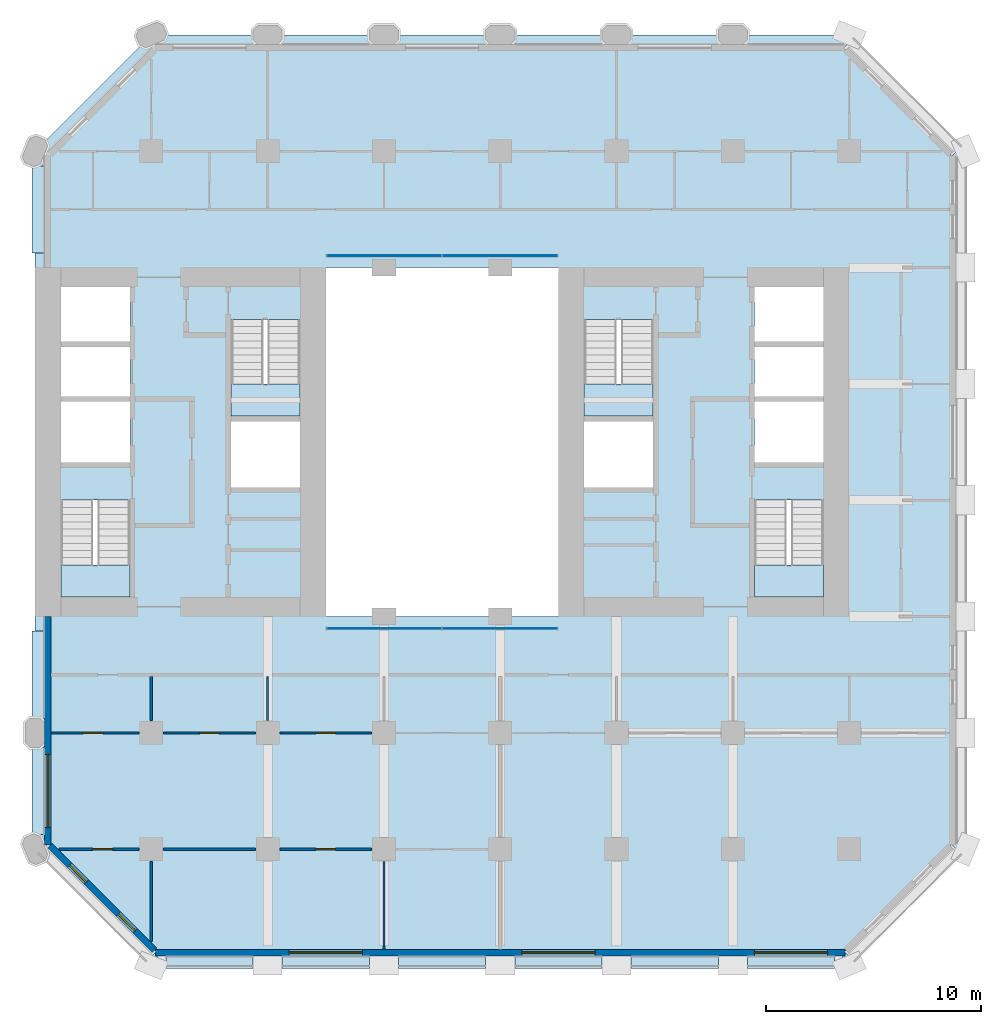
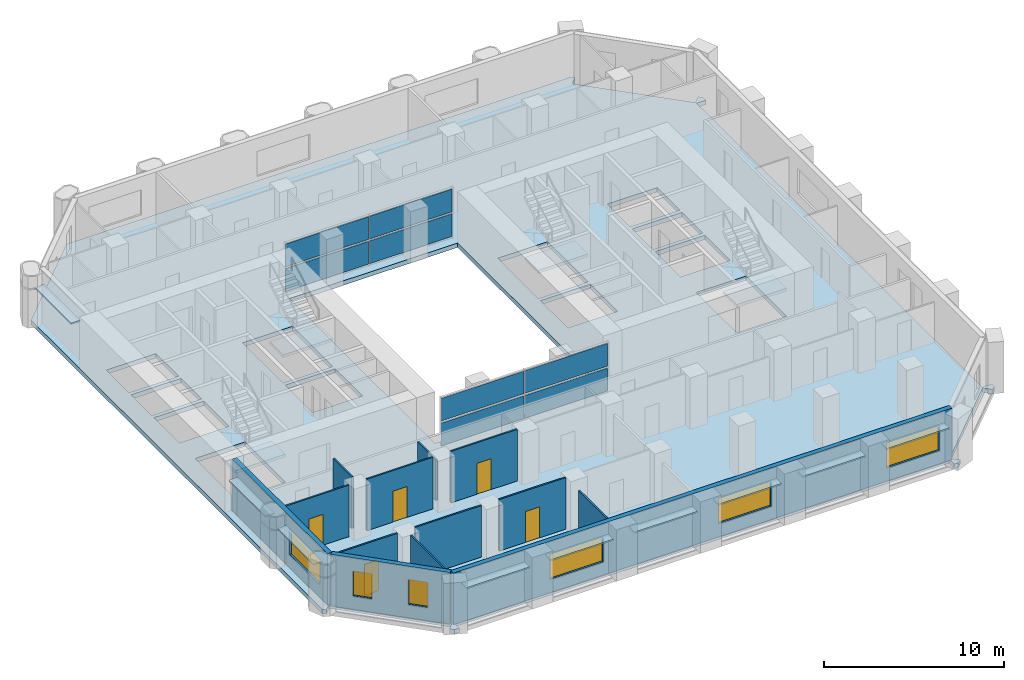
# One storey, part 7 of 13: 17 plates, 13 walls, 6 windows, 5 doors, 5 slabs, 11 openings, 6 elements without a shape of their own.
"""IFC4 building model written with IfcOpenShell, lengths in metres."""

from ifc_helpers import new_model, si_unit, direction, frame, frame_2d, origin, origin_2d, place, context, subcontext, project, spatial, polyline, rectangle, outline, extrude, material, layer, layer_set, type_object, element, fill, aggregate, save


model = new_model("IFC4")

# Units and contexts
model_context = context("Model", 3, precision=1e-05, world=origin(), true_north=direction((0.0, 1.0)))
body_context = subcontext(model_context, "Body", "Model", "MODEL_VIEW")
ifc_project = project(units=[si_unit("LENGTHUNIT", "METRE"), si_unit("AREAUNIT", "SQUARE_METRE"), si_unit("VOLUMEUNIT", "CUBIC_METRE"), si_unit("PLANEANGLEUNIT", "RADIAN"), si_unit("MASSUNIT", "GRAM", prefix="KILO")], contexts=[model_context])

# Site, building, storey
site_placement = place(None, origin())
site = spatial("IfcSite", under=ifc_project, at=site_placement, CompositionType="ELEMENT")
building_placement = place(site_placement, origin())
building = spatial("IfcBuilding", under=site, at=building_placement, Name="Tabaq Tower and Sports Hall", CompositionType="ELEMENT")
storey_placement = place(building_placement, frame((0.0, 0.0, 45.0)))
storey = spatial("IfcBuildingStorey", under=building, at=storey_placement, Name="L09", CompositionType="ELEMENT", Elevation=45.0)

# Curtain wall, plates
ifc_material_1 = material(Name="Aluminium alloy 6063-T6 framed glazing", Category="aluminium")
curtain_wall_type = type_object("IfcCurtainWallType", Name="CW1 curtain wall", PredefinedType="USERDEFINED", material=ifc_material_1)
curtain_wall_1_placement = place(storey_placement, origin())
curtain_wall_1 = element("IfcCurtainWall", 1, at=curtain_wall_1_placement, inside=storey, type_object=curtain_wall_type, Name="Atrium glazing L09 S", ObjectType="ATRIUM ENCLOSURE", PredefinedType="USERDEFINED")
ifc_material_2 = material(Name="Clear low-emissivity glass 28 mm", Category="glass")
ifc_layer_1 = layer(ifc_material_2, 0.028076171875)
ifc_layer_set_1 = layer_set([ifc_layer_1], Name="CW1 glass panel 28")
plate_type_1 = type_object("IfcPlateType", Name="CW1 glass panel 28", PredefinedType="CURTAIN_PANEL", material=ifc_layer_set_1)
plate_1_placement = place(storey_placement, frame((21.614990234375, 15.64990234375, 0.139892578125), z_axis=(0.0, 0.0, 1.0), x_axis=(1.0, 0.0, 0.0)))
plate_1 = element("IfcPlate", 2, at=plate_1_placement, type_object=plate_type_1, Name="CW1 panel 1.1", PredefinedType="CURTAIN_PANEL", context=body_context, shape_type="SweptSolid", body=[
    extrude(rectangle(XDim=5.31005859375, YDim=0.028076171875, at=origin_2d()), origin(), (0.0, 0.0, 1.0), 1.5400390625),
])
plate_2_placement = place(storey_placement, frame((21.614990234375, 15.64990234375, 1.820068359375), z_axis=(0.0, 0.0, 1.0), x_axis=(1.0, 0.0, 0.0)))
plate_2 = element("IfcPlate", 3, at=plate_2_placement, type_object=plate_type_1, Name="CW1 panel 1.2", PredefinedType="CURTAIN_PANEL", context=body_context, shape_type="SweptSolid", body=[
    extrude(rectangle(XDim=5.31005859375, YDim=0.028076171875, at=origin_2d()), origin(), (0.0, 0.0, 1.0), 1.5400390625),
])
plate_3_placement = place(storey_placement, frame((26.985107421875, 15.64990234375, 0.139892578125), z_axis=(0.0, 0.0, 1.0), x_axis=(1.0, 0.0, 0.0)))
plate_3 = element("IfcPlate", 4, at=plate_3_placement, type_object=plate_type_1, Name="CW1 panel 2.1", PredefinedType="CURTAIN_PANEL", context=body_context, shape_type="SweptSolid", body=[
    extrude(rectangle(XDim=5.31005859375, YDim=0.028076171875, at=origin_2d()), origin(), (0.0, 0.0, 1.0), 1.5400390625),
])
plate_4_placement = place(storey_placement, frame((26.985107421875, 15.64990234375, 1.820068359375), z_axis=(0.0, 0.0, 1.0), x_axis=(1.0, 0.0, 0.0)))
plate_4 = element("IfcPlate", 5, at=plate_4_placement, type_object=plate_type_1, Name="CW1 panel 2.2", PredefinedType="CURTAIN_PANEL", context=body_context, shape_type="SweptSolid", body=[
    extrude(rectangle(XDim=5.31005859375, YDim=0.028076171875, at=origin_2d()), origin(), (0.0, 0.0, 1.0), 1.5400390625),
])
aggregate(curtain_wall_1, [plate_1, plate_2, plate_3, plate_4])

curtain_wall_2_placement = place(storey_placement, origin())
curtain_wall_2 = element("IfcCurtainWall", 6, at=curtain_wall_2_placement, inside=storey, type_object=curtain_wall_type, Name="Atrium glazing L09 N", ObjectType="ATRIUM ENCLOSURE", PredefinedType="USERDEFINED")
plate_5_placement = place(storey_placement, frame((21.614990234375, 32.949951171875, 0.139892578125), z_axis=(0.0, 0.0, 1.0), x_axis=(1.0, 0.0, 0.0)))
plate_5 = element("IfcPlate", 7, at=plate_5_placement, type_object=plate_type_1, Name="CW1 panel 1.1", PredefinedType="CURTAIN_PANEL", context=body_context, shape_type="SweptSolid", body=[
    extrude(rectangle(XDim=5.31005859375, YDim=0.028076171875, at=origin_2d()), origin(), (0.0, 0.0, 1.0), 1.5400390625),
])
plate_6_placement = place(storey_placement, frame((21.614990234375, 32.949951171875, 1.820068359375), z_axis=(0.0, 0.0, 1.0), x_axis=(1.0, 0.0, 0.0)))
plate_6 = element("IfcPlate", 8, at=plate_6_placement, type_object=plate_type_1, Name="CW1 panel 1.2", PredefinedType="CURTAIN_PANEL", context=body_context, shape_type="SweptSolid", body=[
    extrude(rectangle(XDim=5.31005859375, YDim=0.028076171875, at=origin_2d()), origin(), (0.0, 0.0, 1.0), 1.5400390625),
])
plate_7_placement = place(storey_placement, frame((26.985107421875, 32.949951171875, 0.139892578125), z_axis=(0.0, 0.0, 1.0), x_axis=(1.0, 0.0, 0.0)))
plate_7 = element("IfcPlate", 9, at=plate_7_placement, type_object=plate_type_1, Name="CW1 panel 2.1", PredefinedType="CURTAIN_PANEL", context=body_context, shape_type="SweptSolid", body=[
    extrude(rectangle(XDim=5.31005859375, YDim=0.028076171875, at=origin_2d()), origin(), (0.0, 0.0, 1.0), 1.5400390625),
])
plate_8_placement = place(storey_placement, frame((26.985107421875, 32.949951171875, 1.820068359375), z_axis=(0.0, 0.0, 1.0), x_axis=(1.0, 0.0, 0.0)))
plate_8 = element("IfcPlate", 10, at=plate_8_placement, type_object=plate_type_1, Name="CW1 panel 2.2", PredefinedType="CURTAIN_PANEL", context=body_context, shape_type="SweptSolid", body=[
    extrude(rectangle(XDim=5.31005859375, YDim=0.028076171875, at=origin_2d()), origin(), (0.0, 0.0, 1.0), 1.5400390625),
])
aggregate(curtain_wall_2, [plate_5, plate_6, plate_7, plate_8])

# Stair, slab
ifc_material_3 = material(Name="Concrete C40/50", Category="concrete")
stair_type = type_object("IfcStairType", Name="Exit stair", PredefinedType="HALF_TURN_STAIR", material=ifc_material_3)
stair_1_placement = place(storey_placement, origin())
stair_1 = element("IfcStair", 11, at=stair_1_placement, inside=storey, type_object=stair_type, Name="L09 Exit stair ST1", PredefinedType="HALF_TURN_STAIR")
ifc_material_4 = material(Name="Concrete C40/50", Category="concrete")
ifc_layer_2 = layer(ifc_material_4, 0.199951171875)
ifc_layer_set_2 = layer_set([ifc_layer_2], Name="Exit stair landing")
slab_type_1 = type_object("IfcSlabType", Name="Exit stair landing", PredefinedType="LANDING", material=ifc_layer_set_2)
slab_1_placement = place(storey_placement, frame((0.0, 0.0, 1.699951171875)))
slab_1 = element("IfcSlab", 12, at=slab_1_placement, type_object=slab_type_1, Name="ST1 landing 1", PredefinedType="LANDING", context=body_context, shape_type="SweptSolid", body=[
    extrude(outline(polyline([(6.60009765625, 18.60009765625), (6.60009765625, 17.10009765625), (9.800048828125, 17.10009765625), (9.800048828125, 18.60009765625), (6.60009765625, 18.60009765625)])), origin(), (0.0, 0.0, 1.0), 0.199951171875),
])
aggregate(stair_1, [slab_1])

stair_2_placement = place(storey_placement, origin())
stair_2 = element("IfcStair", 13, at=stair_2_placement, inside=storey, type_object=stair_type, Name="L09 Exit stair ST2", PredefinedType="HALF_TURN_STAIR")
slab_2_placement = place(storey_placement, frame((0.0, 0.0, 1.699951171875)))
slab_2 = element("IfcSlab", 14, at=slab_2_placement, type_object=slab_type_1, Name="ST2 landing 1", PredefinedType="LANDING", context=body_context, shape_type="SweptSolid", body=[
    extrude(outline(polyline([(14.5, 27.0), (14.5, 25.5), (17.699951171875, 25.5), (17.699951171875, 27.0), (14.5, 27.0)])), origin(), (0.0, 0.0, 1.0), 0.199951171875),
])
aggregate(stair_2, [slab_2])

stair_3_placement = place(storey_placement, origin())
stair_3 = element("IfcStair", 15, at=stair_3_placement, inside=storey, type_object=stair_type, Name="L09 Exit stair ST3", PredefinedType="HALF_TURN_STAIR")
slab_3_placement = place(storey_placement, frame((0.0, 0.0, 1.699951171875)))
slab_3 = element("IfcSlab", 16, at=slab_3_placement, type_object=slab_type_1, Name="ST3 landing 1", PredefinedType="LANDING", context=body_context, shape_type="SweptSolid", body=[
    extrude(outline(polyline([(38.800048828125, 18.60009765625), (38.800048828125, 17.10009765625), (42.0, 17.10009765625), (42.0, 18.60009765625), (38.800048828125, 18.60009765625)])), origin(), (0.0, 0.0, 1.0), 0.199951171875),
])
aggregate(stair_3, [slab_3])

stair_4_placement = place(storey_placement, origin())
stair_4 = element("IfcStair", 17, at=stair_4_placement, inside=storey, type_object=stair_type, Name="L09 Exit stair ST4", PredefinedType="HALF_TURN_STAIR")
slab_4_placement = place(storey_placement, frame((0.0, 0.0, 1.699951171875)))
slab_4 = element("IfcSlab", 18, at=slab_4_placement, type_object=slab_type_1, Name="ST4 landing 1", PredefinedType="LANDING", context=body_context, shape_type="SweptSolid", body=[
    extrude(outline(polyline([(30.89990234375, 27.0), (30.89990234375, 25.5), (34.10009765625, 25.5), (34.10009765625, 27.0), (30.89990234375, 27.0)])), origin(), (0.0, 0.0, 1.0), 0.199951171875),
])
aggregate(stair_4, [slab_4])

# Slab
ifc_material_5 = material(Name="Concrete C40/50", Category="concrete")
ifc_layer_3 = layer(ifc_material_5, 0.300048828125)
ifc_layer_set_3 = layer_set([ifc_layer_3], Name="PT FLOOR SLAB 300 C40/50")
slab_type_2 = type_object("IfcSlabType", Name="PT FLOOR SLAB 300 C40/50", PredefinedType="FLOOR", material=ifc_layer_set_3)
slab_5_placement = place(storey_placement, frame((0.0, 0.0, -0.300048828125)))
element("IfcSlab", 19, at=slab_5_placement, inside=storey, type_object=slab_type_2, Name="Floor Slab L09", PredefinedType="FLOOR", context=body_context, shape_type="SweptSolid", body=[
    extrude(outline(polyline([(5.39990234375, 37.800048828125), (5.39990234375, 5.39990234375), (5.57666015625, 5.22314453125), (5.930419921875, 5.57666015625), (6.0009765625, 5.6474609375), (11.01318359375, 0.63525390625), (10.5888671875, 0.211181640625), (10.800048828125, 0.0), (11.0986328125, 0.0), (11.0986328125, 0.5), (11.0986328125, 0.60009765625), (42.9013671875, 0.60009765625), (42.9013671875, 0.5), (42.9013671875, 0.0), (43.199951171875, 0.0), (43.4111328125, 0.211181640625), (42.98681640625, 0.63525390625), (47.964599609375, 5.61328125), (48.035400390625, 5.54248046875), (48.388916015625, 5.18896484375), (48.60009765625, 5.39990234375), (48.60009765625, 5.698486328125), (48.10009765625, 5.698486328125), (48.0, 5.698486328125), (48.0, 37.50146484375), (48.10009765625, 37.50146484375), (48.60009765625, 37.50146484375), (48.60009765625, 37.800048828125), (48.388916015625, 38.010986328125), (48.035400390625, 37.657470703125), (47.964599609375, 37.5869140625), (42.952392578125, 42.598876953125), (43.023193359375, 42.669677734375), (43.376708984375, 43.023193359375), (43.199951171875, 43.199951171875), (10.800048828125, 43.199951171875), (5.39990234375, 37.800048828125)]), holes=[polyline([(6.60009765625, 21.599365234375), (9.800048828125, 21.599365234375), (9.800048828125, 17.10009765625), (6.60009765625, 17.10009765625), (6.60009765625, 21.599365234375)]), polyline([(17.699951171875, 25.25), (17.699951171875, 22.199951171875), (14.5, 22.199951171875), (14.5, 25.25), (17.699951171875, 25.25)]), polyline([(18.89990234375, 32.39990234375), (29.699951171875, 32.39990234375), (29.699951171875, 16.199951171875), (18.89990234375, 16.199951171875), (18.89990234375, 32.39990234375)]), polyline([(6.60009765625, 26.175048828125), (9.800048828125, 26.175048828125), (9.800048828125, 23.35009765625), (6.60009765625, 23.35009765625), (6.60009765625, 26.175048828125)]), polyline([(9.800048828125, 28.72509765625), (9.800048828125, 26.425048828125), (6.60009765625, 26.425048828125), (6.60009765625, 28.72509765625), (9.800048828125, 28.72509765625)]), polyline([(17.699951171875, 29.99951171875), (17.699951171875, 25.5), (14.5, 25.5), (14.5, 29.99951171875), (17.699951171875, 29.99951171875)]), polyline([(6.60009765625, 31.5), (9.800048828125, 31.5), (9.800048828125, 28.97509765625), (6.60009765625, 28.97509765625), (6.60009765625, 31.5)]), polyline([(42.0, 21.599365234375), (42.0, 17.10009765625), (38.800048828125, 17.10009765625), (38.800048828125, 21.599365234375), (42.0, 21.599365234375)]), polyline([(34.10009765625, 25.25), (34.10009765625, 22.199951171875), (30.89990234375, 22.199951171875), (30.89990234375, 25.25), (34.10009765625, 25.25)]), polyline([(42.0, 26.175048828125), (42.0, 23.35009765625), (38.800048828125, 23.35009765625), (38.800048828125, 26.175048828125), (42.0, 26.175048828125)]), polyline([(42.0, 28.72509765625), (42.0, 26.425048828125), (38.800048828125, 26.425048828125), (38.800048828125, 28.72509765625), (42.0, 28.72509765625)]), polyline([(34.10009765625, 29.99951171875), (34.10009765625, 25.5), (30.89990234375, 25.5), (30.89990234375, 29.99951171875), (34.10009765625, 29.99951171875)]), polyline([(42.0, 31.5), (42.0, 28.97509765625), (38.800048828125, 28.97509765625), (38.800048828125, 31.5), (42.0, 31.5)])]), origin(), (0.0, 0.0, 1.0), 0.300048828125),
])

# Plates
ifc_material_6 = material(Name="White precast concrete C60/75 blade", Category="concrete")
ifc_layer_4 = layer(ifc_material_6, 0.10009765625)
ifc_layer_set_4 = layer_set([ifc_layer_4], Name="White precast concrete C60/75 sunshade 100")
plate_type_2 = type_object("IfcPlateType", Name="White precast concrete C60/75 sunshade 100", PredefinedType="USERDEFINED", material=ifc_layer_set_4)
for number, where, z_axis, x_axis, name in (
    (20, (13.5, 0.14990234375, 2.599853515625), (0.0, 0.0, 1.0), (1.0, 0.0, 0.0), "Sunshade L09 S"),
    (21, (18.89990234375, 0.14990234375, 2.599853515625), (0.0, 0.0, 1.0), (1.0, 0.0, 0.0), "Sunshade L09 S"),
    (22, (24.300048828125, 0.14990234375, 2.599853515625), (0.0, 0.0, 1.0), (1.0, 0.0, 0.0), "Sunshade L09 S"),
    (23, (29.699951171875, 0.14990234375, 2.599853515625), (0.0, 0.0, 1.0), (1.0, 0.0, 0.0), "Sunshade L09 S"),
    (24, (35.10009765625, 0.14990234375, 2.599853515625), (0.0, 0.0, 1.0), (1.0, 0.0, 0.0), "Sunshade L09 S"),
    (25, (40.5, 0.14990234375, 2.599853515625), (0.0, 0.0, 1.0), (1.0, 0.0, 0.0), "Sunshade L09 S"),
    (26, (5.550048828125, 35.10009765625, 2.599853515625), (0.0, 0.0, 1.0), (0.0, -1.0, 0.0), "Sunshade L09 W"),
    (27, (5.550048828125, 13.5, 2.599853515625), (0.0, 0.0, 1.0), (0.0, -1.0, 0.0), "Sunshade L09 W"),
    (28, (5.550048828125, 8.10009765625, 2.599853515625), (0.0, 0.0, 1.0), (0.0, -1.0, 0.0), "Sunshade L09 W"),
):
    element("IfcPlate", number, at=place(storey_placement, frame(where, z_axis=z_axis, x_axis=x_axis)), inside=storey, type_object=plate_type_2, Name=name, ObjectType="SUNSHADE", PredefinedType="USERDEFINED", context=body_context, shape_type="SweptSolid", body=[
        extrude(rectangle(XDim=4.050048828125, YDim=0.60009765625, at=origin_2d()), origin(), (0.0, 0.0, 1.0), 0.10009765625),
    ])

# Wall, opening, door
ifc_material_7 = material(Name="Gypsum board on steel studs", Category="steel")
ifc_layer_5 = layer(ifc_material_7, 0.10009765625)
ifc_layer_set_5 = layer_set([ifc_layer_5], Name="Partition 100 Gypsum board")
wall_type_1 = type_object("IfcWallType", Name="Partition 100 Gypsum board", PredefinedType="PARTITIONING", material=ifc_layer_set_5)
wall_1_placement = place(storey_placement, frame((6.15087890625, 10.800048828125, 0.0), z_axis=(0.0, 0.0, 1.0), x_axis=(1.0, 0.0, 0.0)))
wall_1 = element("IfcWall", 29, at=wall_1_placement, inside=storey, type_object=wall_type_1, Name="Partition wall L09", PredefinedType="PARTITIONING", context=body_context, shape_type="SweptSolid", body=[
    extrude(rectangle(XDim=4.0791015625, YDim=0.10009765625, at=frame_2d((2.03955078125, 0.0))), origin(), (0.0, 0.0, 1.0), 3.5),
])
opening_1_placement = place(wall_1_placement, frame((1.4990234375, 0.0, 0.0)))
opening_1 = element("IfcOpeningElement", 30, at=opening_1_placement, cuts=wall_1, Name="Opening L09-027", PredefinedType="OPENING", context=body_context, shape_type="SweptSolid", body=[
    extrude(rectangle(XDim=0.89990234375, YDim=2.10009765625, at=frame_2d((0.449951171875, 1.050048828125))), frame((0.0, 0.050048828125, 0.0), z_axis=(0.0, -1.0, 0.0), x_axis=(1.0, 0.0, 0.0)), (0.0, 0.0, 1.0), 0.10009765625),
])
ifc_material_8 = material(Name="Timber leaf in steel frame", Category="steel")
door_type_1 = type_object("IfcDoorType", Name="Internal door 900 right hand", OperationType="SINGLE_SWING_RIGHT", PredefinedType="DOOR", material=ifc_material_8)
door_1_placement = place(opening_1_placement, origin())
door_1 = element("IfcDoor", 31, at=door_1_placement, inside=storey, type_object=door_type_1, Name="Internal door L09-027", OperationType="SINGLE_SWING_RIGHT", OverallHeight=2.10009765625, OverallWidth=0.89990234375, PredefinedType="DOOR", context=body_context, shape_type="SweptSolid", body=[
    extrude(rectangle(XDim=0.89990234375, YDim=2.10009765625, at=frame_2d((0.449951171875, 1.050048828125))), frame((0.0, 0.02490234375, 0.0), z_axis=(0.0, -1.0, 0.0), x_axis=(1.0, 0.0, 0.0)), (0.0, 0.0, 1.0), 0.050048828125),
])
fill(opening_1, door_1)

# Wall
wall_2_placement = place(storey_placement, frame((10.800048828125, 11.3701171875, 0.0), z_axis=(0.0, 0.0, 1.0), x_axis=(0.0, 1.0, 0.0)))
element("IfcWall", 32, at=wall_2_placement, inside=storey, type_object=wall_type_1, Name="Partition wall L09", PredefinedType="PARTITIONING", context=body_context, shape_type="SweptSolid", body=[
    extrude(rectangle(XDim=2.054931640625, YDim=0.10009765625, at=frame_2d((1.02734375, 0.0))), origin(), (0.0, 0.0, 1.0), 3.5),
])

# Wall, opening, door
wall_3_placement = place(storey_placement, frame((11.3701171875, 10.800048828125, 0.0), z_axis=(0.0, 0.0, 1.0), x_axis=(1.0, 0.0, 0.0)))
wall_3 = element("IfcWall", 33, at=wall_3_placement, inside=storey, type_object=wall_type_1, Name="Partition wall L09", PredefinedType="PARTITIONING", context=body_context, shape_type="SweptSolid", body=[
    extrude(rectangle(XDim=4.259765625, YDim=0.10009765625, at=frame_2d((2.1298828125, 0.0))), origin(), (0.0, 0.0, 1.0), 3.5),
])
opening_2_placement = place(wall_3_placement, frame((1.679931640625, 0.0, 0.0)))
opening_2 = element("IfcOpeningElement", 34, at=opening_2_placement, cuts=wall_3, Name="Opening L09-013", PredefinedType="OPENING", context=body_context, shape_type="SweptSolid", body=[
    extrude(rectangle(XDim=0.89990234375, YDim=2.10009765625, at=frame_2d((0.449951171875, 1.050048828125))), frame((0.0, 0.050048828125, 0.0), z_axis=(0.0, -1.0, 0.0), x_axis=(1.0, 0.0, 0.0)), (0.0, 0.0, 1.0), 0.10009765625),
])
ifc_material_9 = material(Name="Timber leaf in steel frame", Category="steel")
door_type_2 = type_object("IfcDoorType", Name="Internal door 900 left hand", OperationType="SINGLE_SWING_LEFT", PredefinedType="DOOR", material=ifc_material_9)
door_2_placement = place(opening_2_placement, origin())
door_2 = element("IfcDoor", 35, at=door_2_placement, inside=storey, type_object=door_type_2, Name="Internal door L09-013", OperationType="SINGLE_SWING_LEFT", OverallHeight=2.10009765625, OverallWidth=0.89990234375, PredefinedType="DOOR", context=body_context, shape_type="SweptSolid", body=[
    extrude(rectangle(XDim=0.89990234375, YDim=2.10009765625, at=frame_2d((0.449951171875, 1.050048828125))), frame((0.0, 0.02490234375, 0.0), z_axis=(0.0, -1.0, 0.0), x_axis=(1.0, 0.0, 0.0)), (0.0, 0.0, 1.0), 0.050048828125),
])
fill(opening_2, door_2)

# Wall
wall_4_placement = place(storey_placement, frame((16.199951171875, 11.3701171875, 0.0), z_axis=(0.0, 0.0, 1.0), x_axis=(0.0, 1.0, 0.0)))
element("IfcWall", 36, at=wall_4_placement, inside=storey, type_object=wall_type_1, Name="Partition wall L09", PredefinedType="PARTITIONING", context=body_context, shape_type="SweptSolid", body=[
    extrude(rectangle(XDim=2.054931640625, YDim=0.10009765625, at=frame_2d((1.02734375, 0.0))), origin(), (0.0, 0.0, 1.0), 2.75),
])

# Wall, opening, door
wall_5_placement = place(storey_placement, frame((16.77001953125, 10.800048828125, 0.0), z_axis=(0.0, 0.0, 1.0), x_axis=(1.0, 0.0, 0.0)))
wall_5 = element("IfcWall", 37, at=wall_5_placement, inside=storey, type_object=wall_type_1, Name="Partition wall L09", PredefinedType="PARTITIONING", context=body_context, shape_type="SweptSolid", body=[
    extrude(rectangle(XDim=4.260009765625, YDim=0.10009765625, at=frame_2d((2.1298828125, 0.0))), origin(), (0.0, 0.0, 1.0), 3.5),
])
opening_3_placement = place(wall_5_placement, frame((1.679931640625, 0.0, 0.0)))
opening_3 = element("IfcOpeningElement", 38, at=opening_3_placement, cuts=wall_5, Name="Opening L09-014", PredefinedType="OPENING", context=body_context, shape_type="SweptSolid", body=[
    extrude(rectangle(XDim=0.89990234375, YDim=2.10009765625, at=frame_2d((0.449951171875, 1.050048828125))), frame((0.0, 0.050048828125, 0.0), z_axis=(0.0, -1.0, 0.0), x_axis=(1.0, 0.0, 0.0)), (0.0, 0.0, 1.0), 0.10009765625),
])
door_3_placement = place(opening_3_placement, origin())
door_3 = element("IfcDoor", 39, at=door_3_placement, inside=storey, type_object=door_type_2, Name="Internal door L09-014", OperationType="SINGLE_SWING_LEFT", OverallHeight=2.10009765625, OverallWidth=0.89990234375, PredefinedType="DOOR", context=body_context, shape_type="SweptSolid", body=[
    extrude(rectangle(XDim=0.89990234375, YDim=2.10009765625, at=frame_2d((0.449951171875, 1.050048828125))), frame((0.0, 0.02490234375, 0.0), z_axis=(0.0, -1.0, 0.0), x_axis=(1.0, 0.0, 0.0)), (0.0, 0.0, 1.0), 0.050048828125),
])
fill(opening_3, door_3)

wall_6_placement = place(storey_placement, frame((6.51220703125, 5.39990234375, 0.0), z_axis=(0.0, 0.0, 1.0), x_axis=(1.0, 0.0, 0.0)))
wall_6 = element("IfcWall", 40, at=wall_6_placement, inside=storey, type_object=wall_type_1, Name="Partition wall L09", PredefinedType="PARTITIONING", context=body_context, shape_type="SweptSolid", body=[
    extrude(rectangle(XDim=3.7177734375, YDim=0.10009765625, at=frame_2d((1.85888671875, 0.0))), origin(), (0.0, 0.0, 1.0), 3.5),
])
opening_4_placement = place(wall_6_placement, frame((1.587890625, 0.0, 0.0)))
opening_4 = element("IfcOpeningElement", 41, at=opening_4_placement, cuts=wall_6, Name="Opening L09-016", PredefinedType="OPENING", context=body_context, shape_type="SweptSolid", body=[
    extrude(rectangle(XDim=0.89990234375, YDim=2.10009765625, at=frame_2d((0.449951171875, 1.050048828125))), frame((0.0, 0.050048828125, 0.0), z_axis=(0.0, -1.0, 0.0), x_axis=(1.0, 0.0, 0.0)), (0.0, 0.0, 1.0), 0.10009765625),
])
door_4_placement = place(opening_4_placement, origin())
door_4 = element("IfcDoor", 42, at=door_4_placement, inside=storey, type_object=door_type_2, Name="Internal door L09-016", OperationType="SINGLE_SWING_LEFT", OverallHeight=2.10009765625, OverallWidth=0.89990234375, PredefinedType="DOOR", context=body_context, shape_type="SweptSolid", body=[
    extrude(rectangle(XDim=0.89990234375, YDim=2.10009765625, at=frame_2d((0.449951171875, 1.050048828125))), frame((0.0, 0.02490234375, 0.0), z_axis=(0.0, -1.0, 0.0), x_axis=(1.0, 0.0, 0.0)), (0.0, 0.0, 1.0), 0.050048828125),
])
fill(opening_4, door_4)

# Wall
wall_7_placement = place(storey_placement, frame((11.3701171875, 5.39990234375, 0.0), z_axis=(0.0, 0.0, 1.0), x_axis=(1.0, 0.0, 0.0)))
element("IfcWall", 43, at=wall_7_placement, inside=storey, type_object=wall_type_1, Name="Partition wall L09", PredefinedType="PARTITIONING", context=body_context, shape_type="SweptSolid", body=[
    extrude(rectangle(XDim=4.259765625, YDim=0.10009765625, at=frame_2d((2.1298828125, 0.0))), origin(), (0.0, 0.0, 1.0), 3.5),
])

# Wall, opening, door
wall_8_placement = place(storey_placement, frame((16.77001953125, 5.39990234375, 0.0), z_axis=(0.0, 0.0, 1.0), x_axis=(1.0, 0.0, 0.0)))
wall_8 = element("IfcWall", 44, at=wall_8_placement, inside=storey, type_object=wall_type_1, Name="Partition wall L09", PredefinedType="PARTITIONING", context=body_context, shape_type="SweptSolid", body=[
    extrude(rectangle(XDim=4.260009765625, YDim=0.10009765625, at=frame_2d((2.1298828125, 0.0))), origin(), (0.0, 0.0, 1.0), 3.5),
])
opening_5_placement = place(wall_8_placement, frame((1.679931640625, 0.0, 0.0)))
opening_5 = element("IfcOpeningElement", 45, at=opening_5_placement, cuts=wall_8, Name="Opening L09-017", PredefinedType="OPENING", context=body_context, shape_type="SweptSolid", body=[
    extrude(rectangle(XDim=0.89990234375, YDim=2.10009765625, at=frame_2d((0.449951171875, 1.050048828125))), frame((0.0, 0.050048828125, 0.0), z_axis=(0.0, -1.0, 0.0), x_axis=(1.0, 0.0, 0.0)), (0.0, 0.0, 1.0), 0.10009765625),
])
door_5_placement = place(opening_5_placement, origin())
door_5 = element("IfcDoor", 46, at=door_5_placement, inside=storey, type_object=door_type_2, Name="Internal door L09-017", OperationType="SINGLE_SWING_LEFT", OverallHeight=2.10009765625, OverallWidth=0.89990234375, PredefinedType="DOOR", context=body_context, shape_type="SweptSolid", body=[
    extrude(rectangle(XDim=0.89990234375, YDim=2.10009765625, at=frame_2d((0.449951171875, 1.050048828125))), frame((0.0, 0.02490234375, 0.0), z_axis=(0.0, -1.0, 0.0), x_axis=(1.0, 0.0, 0.0)), (0.0, 0.0, 1.0), 0.050048828125),
])
fill(opening_5, door_5)

# Walls
wall_9_placement = place(storey_placement, frame((10.800048828125, 1.112060546875, 0.0), z_axis=(0.0, 0.0, 1.0), x_axis=(0.0, 1.0, 0.0)))
element("IfcWall", 47, at=wall_9_placement, inside=storey, type_object=wall_type_1, Name="Partition wall L09", PredefinedType="PARTITIONING", context=body_context, shape_type="SweptSolid", body=[
    extrude(rectangle(XDim=3.718017578125, YDim=0.10009765625, at=frame_2d((1.85888671875, 0.0))), origin(), (0.0, 0.0, 1.0), 3.5),
])
wall_10_placement = place(storey_placement, frame((21.60009765625, 0.7509765625, 0.0), z_axis=(0.0, 0.0, 1.0), x_axis=(0.0, 1.0, 0.0)))
element("IfcWall", 48, at=wall_10_placement, inside=storey, type_object=wall_type_1, Name="Partition wall L09", PredefinedType="PARTITIONING", context=body_context, shape_type="SweptSolid", body=[
    extrude(rectangle(XDim=4.0791015625, YDim=0.10009765625, at=frame_2d((2.03955078125, 0.0))), origin(), (0.0, 0.0, 1.0), 2.75),
])

# Wall, openings, windows
ifc_material_10 = material(Name="White precast concrete C60/75", Category="concrete")
ifc_layer_6 = layer(ifc_material_10, 0.300048828125)
ifc_layer_set_6 = layer_set([ifc_layer_6], Name="White precast concrete C60/75 external wall 300")
wall_type_2 = type_object("IfcWallType", Name="White precast concrete C60/75 external wall 300", PredefinedType="SOLIDWALL", material=ifc_layer_set_6)
wall_11_placement = place(storey_placement, frame((10.986328125, 0.60009765625, 0.0), z_axis=(0.0, 0.0, 1.0), x_axis=(1.0, 0.0, 0.0)))
wall_11 = element("IfcWall", 49, at=wall_11_placement, inside=storey, type_object=wall_type_2, Name="External Wall L09 S", PredefinedType="SOLIDWALL", context=body_context, shape_type="SweptSolid", body=[
    extrude(rectangle(XDim=32.02734375, YDim=0.300048828125, at=frame_2d((16.013671875, 0.0))), origin(), (0.0, 0.0, 1.0), 3.5),
])
opening_6_placement = place(wall_11_placement, frame((6.213623046875, 0.0, 0.89990234375)))
opening_6 = element("IfcOpeningElement", 50, at=opening_6_placement, cuts=wall_11, Name="Opening W1A", PredefinedType="OPENING", context=body_context, shape_type="SweptSolid", body=[
    extrude(rectangle(XDim=3.39990234375, YDim=1.699951171875, at=frame_2d((1.699951171875, 0.85009765625))), frame((0.0, 0.16015625, 0.0), z_axis=(0.0, -1.0, 0.0), x_axis=(1.0, 0.0, 0.0)), (0.0, 0.0, 1.0), 0.320068359375),
])
opening_7_placement = place(wall_11_placement, frame((17.013671875, 0.0, 0.89990234375)))
opening_7 = element("IfcOpeningElement", 51, at=opening_7_placement, cuts=wall_11, Name="Opening W1A", PredefinedType="OPENING", context=body_context, shape_type="SweptSolid", body=[
    extrude(rectangle(XDim=3.39990234375, YDim=1.699951171875, at=frame_2d((1.699951171875, 0.85009765625))), frame((0.0, 0.16015625, 0.0), z_axis=(0.0, -1.0, 0.0), x_axis=(1.0, 0.0, 0.0)), (0.0, 0.0, 1.0), 0.320068359375),
])
opening_8_placement = place(wall_11_placement, frame((27.813720703125, 0.0, 0.89990234375)))
opening_8 = element("IfcOpeningElement", 52, at=opening_8_placement, cuts=wall_11, Name="Opening W1A", PredefinedType="OPENING", context=body_context, shape_type="SweptSolid", body=[
    extrude(rectangle(XDim=3.39990234375, YDim=1.699951171875, at=frame_2d((1.699951171875, 0.85009765625))), frame((0.0, 0.16015625, 0.0), z_axis=(0.0, -1.0, 0.0), x_axis=(1.0, 0.0, 0.0)), (0.0, 0.0, 1.0), 0.320068359375),
])
ifc_material_11 = material(Name="Aluminium framed clear glazing", Category="aluminium")
window_type_1 = type_object("IfcWindowType", Name="Window W1A", PartitioningType="SINGLE_PANEL", PredefinedType="WINDOW", material=ifc_material_11)
window_1_placement = place(opening_6_placement, origin())
window_1 = element("IfcWindow", 53, at=window_1_placement, inside=storey, type_object=window_type_1, Name="Window W1A L09", OverallHeight=1.699951171875, OverallWidth=3.39990234375, PartitioningType="SINGLE_PANEL", PredefinedType="WINDOW", context=body_context, shape_type="SweptSolid", body=[
    extrude(rectangle(XDim=3.39990234375, YDim=1.699951171875, at=frame_2d((1.699951171875, 0.85009765625))), frame((0.0, 0.030029296875, 0.0), z_axis=(0.0, -1.0, 0.0), x_axis=(1.0, 0.0, 0.0)), (0.0, 0.0, 1.0), 0.06005859375),
])
fill(opening_6, window_1)
window_2_placement = place(opening_7_placement, origin())
window_2 = element("IfcWindow", 54, at=window_2_placement, inside=storey, type_object=window_type_1, Name="Window W1A L09", OverallHeight=1.699951171875, OverallWidth=3.39990234375, PartitioningType="SINGLE_PANEL", PredefinedType="WINDOW", context=body_context, shape_type="SweptSolid", body=[
    extrude(rectangle(XDim=3.39990234375, YDim=1.699951171875, at=frame_2d((1.699951171875, 0.85009765625))), frame((0.0, 0.030029296875, 0.0), z_axis=(0.0, -1.0, 0.0), x_axis=(1.0, 0.0, 0.0)), (0.0, 0.0, 1.0), 0.06005859375),
])
fill(opening_7, window_2)
window_3_placement = place(opening_8_placement, origin())
window_3 = element("IfcWindow", 55, at=window_3_placement, inside=storey, type_object=window_type_1, Name="Window W1A L09", OverallHeight=1.699951171875, OverallWidth=3.39990234375, PartitioningType="SINGLE_PANEL", PredefinedType="WINDOW", context=body_context, shape_type="SweptSolid", body=[
    extrude(rectangle(XDim=3.39990234375, YDim=1.699951171875, at=frame_2d((1.699951171875, 0.85009765625))), frame((0.0, 0.030029296875, 0.0), z_axis=(0.0, -1.0, 0.0), x_axis=(1.0, 0.0, 0.0)), (0.0, 0.0, 1.0), 0.06005859375),
])
fill(opening_8, window_3)

# Wall, opening, window
wall_12_placement = place(storey_placement, frame((6.0, 16.199951171875, 0.0), z_axis=(0.0, 0.0, 1.0), x_axis=(0.0, -1.0, 0.0)))
wall_12 = element("IfcWall", 56, at=wall_12_placement, inside=storey, type_object=wall_type_2, Name="External Wall L09 W", PredefinedType="SOLIDWALL", context=body_context, shape_type="SweptSolid", body=[
    extrude(rectangle(XDim=10.613525390625, YDim=0.300048828125, at=frame_2d((5.306640625, 0.0))), origin(), (0.0, 0.0, 1.0), 3.5),
])
opening_9_placement = place(wall_12_placement, frame((6.39990234375, 0.0, 0.89990234375)))
opening_9 = element("IfcOpeningElement", 57, at=opening_9_placement, cuts=wall_12, Name="Opening W1A", PredefinedType="OPENING", context=body_context, shape_type="SweptSolid", body=[
    extrude(rectangle(XDim=3.39990234375, YDim=1.699951171875, at=frame_2d((1.699951171875, 0.85009765625))), frame((0.0, 0.16015625, 0.0), z_axis=(0.0, -1.0, 0.0), x_axis=(1.0, 0.0, 0.0)), (0.0, 0.0, 1.0), 0.320068359375),
])
window_4_placement = place(opening_9_placement, origin())
window_4 = element("IfcWindow", 58, at=window_4_placement, inside=storey, type_object=window_type_1, Name="Window W1A L09", OverallHeight=1.699951171875, OverallWidth=3.39990234375, PartitioningType="SINGLE_PANEL", PredefinedType="WINDOW", context=body_context, shape_type="SweptSolid", body=[
    extrude(rectangle(XDim=3.39990234375, YDim=1.699951171875, at=frame_2d((1.699951171875, 0.85009765625))), frame((0.0, 0.030029296875, 0.0), z_axis=(0.0, -1.0, 0.0), x_axis=(1.0, 0.0, 0.0)), (0.0, 0.0, 1.0), 0.06005859375),
])
fill(opening_9, window_4)

# Wall, openings, windows
wall_13_placement = place(storey_placement, frame((6.098876953125, 5.549560546875, 0.0), z_axis=(0.0, 0.0, 1.0), x_axis=(0.707106781187, -0.707106781187, 0.0)))
wall_13 = element("IfcWall", 59, at=wall_13_placement, inside=storey, type_object=wall_type_2, Name="External Wall L09 SW", PredefinedType="SOLIDWALL", context=body_context, shape_type="SweptSolid", body=[
    extrude(rectangle(XDim=6.85986328125, YDim=0.300048828125, at=frame_2d((3.429931640625, 0.0))), origin(), (0.0, 0.0, 1.0), 3.5),
])
opening_10_placement = place(wall_13_placement, frame((1.27978515625, 0.0, 0.89990234375)))
opening_10 = element("IfcOpeningElement", 60, at=opening_10_placement, cuts=wall_13, Name="Opening W1B", PredefinedType="OPENING", context=body_context, shape_type="SweptSolid", body=[
    extrude(rectangle(XDim=1.10009765625, YDim=1.699951171875, at=frame_2d((0.550048828125, 0.85009765625))), frame((0.0, 0.16015625, 0.0), z_axis=(0.0, -1.0, 0.0), x_axis=(1.0, 0.0, 0.0)), (0.0, 0.0, 1.0), 0.320068359375),
])
opening_11_placement = place(wall_13_placement, frame((4.479736328125, 0.0, 0.89990234375)))
opening_11 = element("IfcOpeningElement", 61, at=opening_11_placement, cuts=wall_13, Name="Opening W1B", PredefinedType="OPENING", context=body_context, shape_type="SweptSolid", body=[
    extrude(rectangle(XDim=1.10009765625, YDim=1.699951171875, at=frame_2d((0.550048828125, 0.85009765625))), frame((0.0, 0.16015625, 0.0), z_axis=(0.0, -1.0, 0.0), x_axis=(1.0, 0.0, 0.0)), (0.0, 0.0, 1.0), 0.320068359375),
])
ifc_material_12 = material(Name="Aluminium framed clear glazing", Category="aluminium")
window_type_2 = type_object("IfcWindowType", Name="Window W1B", PartitioningType="SINGLE_PANEL", PredefinedType="WINDOW", material=ifc_material_12)
window_5_placement = place(opening_10_placement, origin())
window_5 = element("IfcWindow", 62, at=window_5_placement, inside=storey, type_object=window_type_2, Name="Window W1B L09", OverallHeight=1.699951171875, OverallWidth=1.10009765625, PartitioningType="SINGLE_PANEL", PredefinedType="WINDOW", context=body_context, shape_type="SweptSolid", body=[
    extrude(rectangle(XDim=1.10009765625, YDim=1.699951171875, at=frame_2d((0.550048828125, 0.85009765625))), frame((0.0, 0.030029296875, 0.0), z_axis=(0.0, -1.0, 0.0), x_axis=(1.0, 0.0, 0.0)), (0.0, 0.0, 1.0), 0.06005859375),
])
fill(opening_10, window_5)
window_6_placement = place(opening_11_placement, origin())
window_6 = element("IfcWindow", 63, at=window_6_placement, inside=storey, type_object=window_type_2, Name="Window W1B L09", OverallHeight=1.699951171875, OverallWidth=1.10009765625, PartitioningType="SINGLE_PANEL", PredefinedType="WINDOW", context=body_context, shape_type="SweptSolid", body=[
    extrude(rectangle(XDim=1.10009765625, YDim=1.699951171875, at=frame_2d((0.550048828125, 0.85009765625))), frame((0.0, 0.030029296875, 0.0), z_axis=(0.0, -1.0, 0.0), x_axis=(1.0, 0.0, 0.0)), (0.0, 0.0, 1.0), 0.06005859375),
])
fill(opening_11, window_6)

save(model, "model.ifc")
